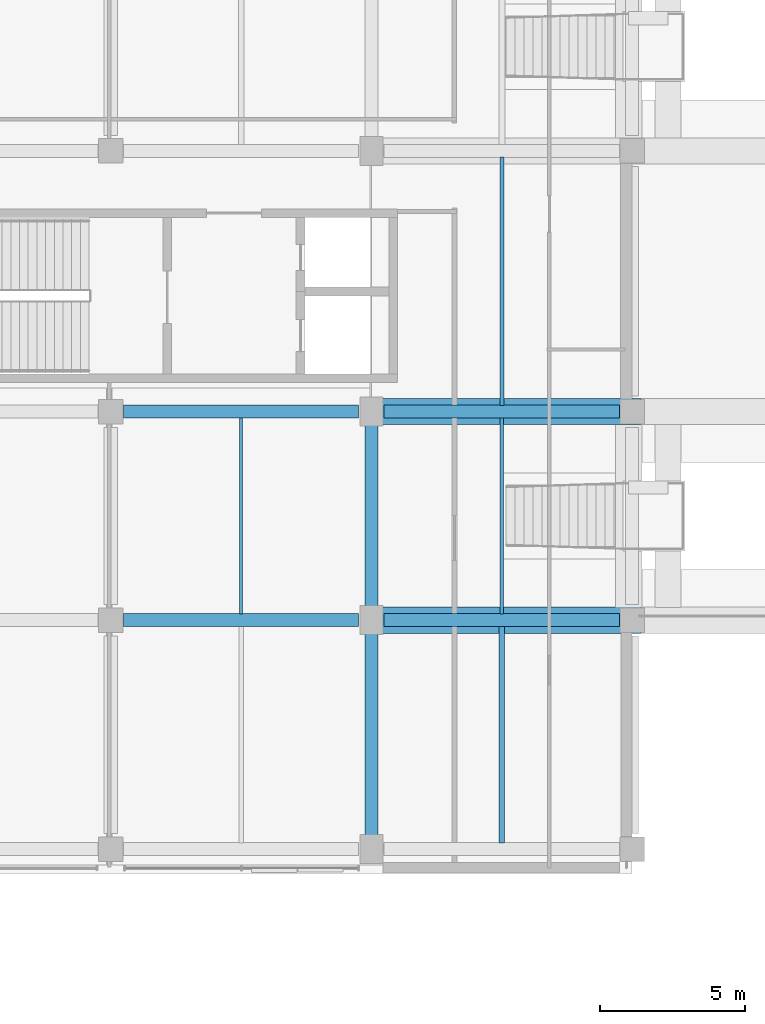
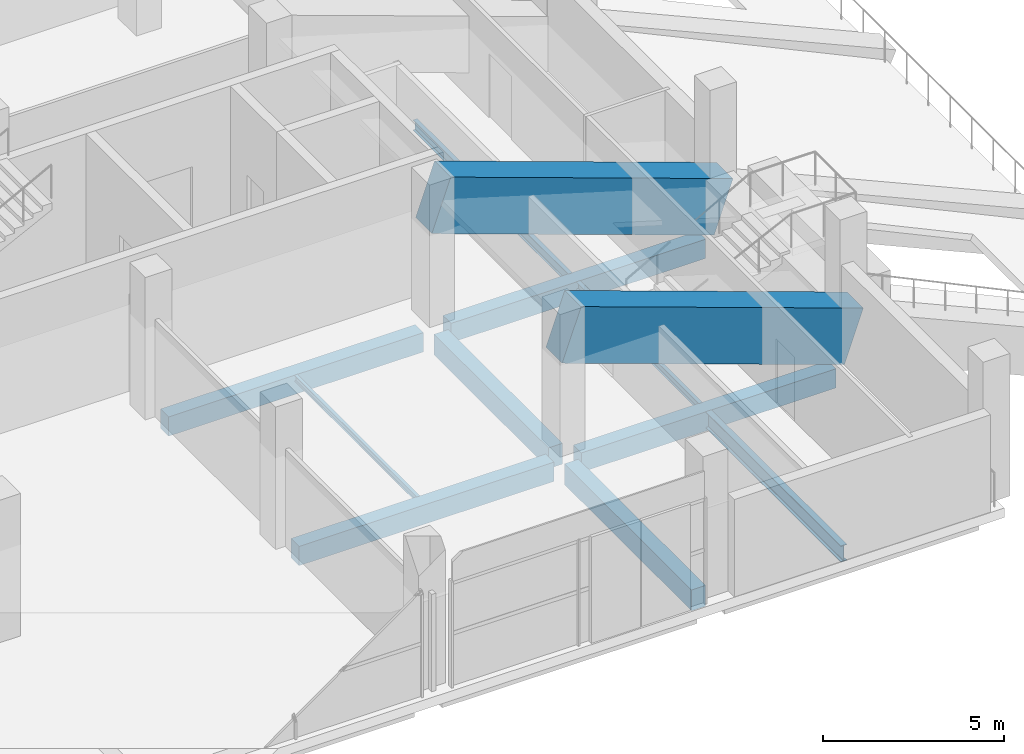
# One storey, part 22 of 66: 12 beams.
"""IFC4 building model written with IfcOpenShell, lengths in metres."""

from ifc_helpers import new_model, si_unit, direction, frame, origin, origin_2d, place, context, subcontext, project, spatial, rectangle, i_section, extrude, material, material_profile, profile_set, type_object, element, save


model = new_model("IFC4")

# Units and contexts
model_context = context("Model", 3, precision=1e-05, world=origin(), true_north=direction((0.0, 1.0)))
body_context = subcontext(model_context, "Body", "Model", "MODEL_VIEW")
ifc_project = project(units=[si_unit("LENGTHUNIT", "METRE"), si_unit("AREAUNIT", "SQUARE_METRE"), si_unit("VOLUMEUNIT", "CUBIC_METRE"), si_unit("PLANEANGLEUNIT", "RADIAN"), si_unit("MASSUNIT", "GRAM", prefix="KILO"), si_unit("THERMODYNAMICTEMPERATUREUNIT", "KELVIN"), si_unit("POWERUNIT", "WATT")], contexts=[model_context])

# Site, building, storey
site_placement = place(None, origin())
site = spatial("IfcSite", under=ifc_project, at=site_placement, CompositionType="ELEMENT")
building_placement = place(site_placement, origin())
building = spatial("IfcBuilding", under=site, at=building_placement, Name="Sindhuravela Promenade Stadium", CompositionType="ELEMENT")
storey_placement = place(building_placement, frame((0.0, 0.0, 19.199951171875)))
storey = spatial("IfcBuildingStorey", under=building, at=storey_placement, Name="L04", CompositionType="ELEMENT", Elevation=19.199951171875)

# Beams
ifc_material_1 = material(Name="Concrete M40", Category="concrete")
ifc_material_profile_1 = material_profile(ifc_material_1, rectangle(XDim=0.449951171875, YDim=0.64990234375, at=origin_2d()), Name="RC 450x650")
ifc_profile_set_1 = profile_set([ifc_material_profile_1], Name="Concrete M40")
beam_type_1 = type_object("IfcBeamType", Name="RC-BM-450x650", PredefinedType="T_BEAM", material=ifc_profile_set_1)
for number, where, z_axis, x_axis, name in (
    (1, (18.43994140625, 45.0, -0.64501953125), (1.0, 0.0, 0.0), (0.0, 1.0, 0.0), "Primary girder GB08 WEST L04"),
    (2, (27.43994140625, 45.0, -0.64501953125), (1.0, 0.0, 0.0), (0.0, 1.0, 0.0), "Primary girder GB08 WEST L04"),
    (3, (18.43994140625, 52.199951171875, -0.64501953125), (1.0, 0.0, 0.0), (0.0, 1.0, 0.0), "Primary girder GB08 WEST L04"),
    (4, (27.43994140625, 52.199951171875, -0.64501953125), (1.0, 0.0, 0.0), (0.0, 1.0, 0.0), "Primary girder GB08 WEST L04"),
):
    element("IfcBeam", number, at=place(storey_placement, frame(where, z_axis=z_axis, x_axis=x_axis)), inside=storey, type_object=beam_type_1, Name=name, PredefinedType="T_BEAM", context=body_context, shape_type="SweptSolid", body=[
        extrude(rectangle(XDim=0.449951171875, YDim=0.64990234375, at=origin_2d()), origin(), (0.0, 0.0, 1.0), 8.1201171875),
    ])
ifc_material_profile_2 = material_profile(ifc_material_1, rectangle(XDim=0.449951171875, YDim=0.699951171875, at=origin_2d()), Name="RC 450x700")
ifc_profile_set_2 = profile_set([ifc_material_profile_2], Name="Concrete M40")
beam_type_2 = type_object("IfcBeamType", Name="RC-BM-450x700", PredefinedType="BEAM", material=ifc_profile_set_2)
beam_1_placement = place(storey_placement, frame((27.0, 37.5400390625, -0.669921875), z_axis=(0.0, 1.0, 0.0), x_axis=(-1.0, 0.0, 0.0)))
element("IfcBeam", 5, at=beam_1_placement, inside=storey, type_object=beam_type_2, Name="Primary beam GB07 WEST L04", PredefinedType="BEAM", context=body_context, shape_type="SweptSolid", body=[
    extrude(rectangle(XDim=0.449951171875, YDim=0.699951171875, at=origin_2d()), origin(), (0.0, 0.0, 1.0), 7.02001953125),
])
beam_2_placement = place(storey_placement, frame((27.0, 45.43994140625, -0.669921875), z_axis=(0.0, 1.0, 0.0), x_axis=(-1.0, 0.0, 0.0)))
element("IfcBeam", 6, at=beam_2_placement, inside=storey, type_object=beam_type_2, Name="Primary beam GB07 WEST L04", PredefinedType="BEAM", context=body_context, shape_type="SweptSolid", body=[
    extrude(rectangle(XDim=0.449951171875, YDim=0.699951171875, at=origin_2d()), origin(), (0.0, 0.0, 1.0), 6.320068359375),
])
ifc_material_2 = material(Name="Concrete M50", Category="concrete")
ifc_material_profile_3 = material_profile(ifc_material_2, rectangle(XDim=0.89990234375, YDim=1.800048828125, at=origin_2d()), Name="RC 900x1800")
ifc_profile_set_3 = profile_set([ifc_material_profile_3], Name="Concrete M50")
beam_type_3 = type_object("IfcBeamType", Name="RC-RK-900x1800", PredefinedType="USERDEFINED", material=ifc_profile_set_3)
for number, where, z_axis, x_axis, name in (
    (7, (27.0, 45.0, 3.949951171875), (0.9422163038291221, 0.0, -0.3350051295108589), (0.0, 1.0, 0.0), "Upper raker back-span RK01 West 51"),
    (8, (27.0, 52.199951171875, 3.949951171875), (0.9422163038291221, 0.0, -0.3350051295108589), (0.0, 1.0, 0.0), "Upper raker back-span RK01 West 53"),
):
    element("IfcBeam", number, at=place(storey_placement, frame(where, z_axis=z_axis, x_axis=x_axis)), inside=storey, type_object=beam_type_3, Name=name, ObjectType="RAKER", PredefinedType="USERDEFINED", context=body_context, shape_type="SweptSolid", body=[
        extrude(rectangle(XDim=0.89990234375, YDim=1.800048828125, at=origin_2d()), origin(), (0.0, 0.0, 1.0), 9.552001953125),
    ])
ifc_material_3 = material(Name="Steel E350 (IS 2062 E350BR)", Category="steel")
ifc_material_profile_4 = material_profile(ifc_material_3, i_section(OverallWidth=0.10009765625, OverallDepth=0.199951171875, WebThickness=0.005615234375, FlangeThickness=0.0107421875, FilletRadius=0.010986328125, at=origin_2d()), Name="ISMB 200")
ifc_profile_set_4 = profile_set([ifc_material_profile_4], Name="Steel E350 (IS 2062 E350BR)")
beam_type_4 = type_object("IfcBeamType", Name="ST-BM-MB200", PredefinedType="JOIST", material=ifc_profile_set_4)
beam_3_placement = place(storey_placement, frame((22.5, 45.215087890625, -0.419921875), z_axis=(0.0, 1.0, 0.0), x_axis=(-1.0, 0.0, 0.0)))
element("IfcBeam", 9, at=beam_3_placement, inside=storey, type_object=beam_type_4, Name="Secondary floor joist SB01 WEST L04", PredefinedType="JOIST", context=body_context, shape_type="SweptSolid", body=[
    extrude(i_section(OverallWidth=0.10009765625, OverallDepth=0.199951171875, WebThickness=0.005615234375, FlangeThickness=0.0107421875, FilletRadius=0.010986328125, at=origin_2d()), origin(), (0.0, 0.0, 1.0), 6.77001953125),
])
ifc_material_profile_5 = material_profile(ifc_material_3, i_section(OverallWidth=0.125, OverallDepth=0.25, WebThickness=0.0068359375, FlangeThickness=0.012451171875, FilletRadius=0.012939453125, at=origin_2d()), Name="ISMB 250")
ifc_profile_set_5 = profile_set([ifc_material_profile_5], Name="Steel E350 (IS 2062 E350BR)")
beam_type_5 = type_object("IfcBeamType", Name="ST-BM-MB250", PredefinedType="JOIST", material=ifc_profile_set_5)
beam_4_placement = place(storey_placement, frame((31.5, 45.215087890625, -0.445068359375), z_axis=(0.0, 1.0, 0.0), x_axis=(-1.0, 0.0, 0.0)))
element("IfcBeam", 10, at=beam_4_placement, inside=storey, type_object=beam_type_5, Name="Secondary floor joist SB02 WEST L04", PredefinedType="JOIST", context=body_context, shape_type="SweptSolid", body=[
    extrude(i_section(OverallWidth=0.125, OverallDepth=0.25, WebThickness=0.0068359375, FlangeThickness=0.012451171875, FilletRadius=0.012939453125, at=origin_2d()), origin(), (0.0, 0.0, 1.0), 6.77001953125),
])
ifc_material_profile_6 = material_profile(ifc_material_3, i_section(OverallWidth=0.139892578125, OverallDepth=0.35009765625, WebThickness=0.008056640625, FlangeThickness=0.01416015625, FilletRadius=0.013916015625, at=origin_2d()), Name="ISMB 350")
ifc_profile_set_6 = profile_set([ifc_material_profile_6], Name="Steel E350 (IS 2062 E350BR)")
beam_type_6 = type_object("IfcBeamType", Name="ST-BM-MB350", PredefinedType="JOIST", material=ifc_profile_set_6)
beam_5_placement = place(storey_placement, frame((31.5, 52.4150390625, -0.494873046875), z_axis=(0.0, 1.0, 0.0), x_axis=(-1.0, 0.0, 0.0)))
element("IfcBeam", 11, at=beam_5_placement, inside=storey, type_object=beam_type_6, Name="Secondary floor joist SB04 WEST L04", PredefinedType="JOIST", context=body_context, shape_type="SweptSolid", body=[
    extrude(i_section(OverallWidth=0.139892578125, OverallDepth=0.35009765625, WebThickness=0.008056640625, FlangeThickness=0.01416015625, FilletRadius=0.013916015625, at=origin_2d()), origin(), (0.0, 0.0, 1.0), 8.570068359375),
])
ifc_material_profile_7 = material_profile(ifc_material_3, i_section(OverallWidth=0.18994140625, OverallDepth=0.550048828125, WebThickness=0.01123046875, FlangeThickness=0.019287109375, FilletRadius=0.01806640625, at=origin_2d()), Name="ISMB 550")
ifc_profile_set_7 = profile_set([ifc_material_profile_7], Name="Steel E350 (IS 2062 E350BR)")
beam_type_7 = type_object("IfcBeamType", Name="ST-BM-MB550", PredefinedType="SPANDREL", material=ifc_profile_set_7)
beam_6_placement = place(storey_placement, frame((31.5, 37.31494140625, -0.594970703125), z_axis=(0.0, 1.0, 0.0), x_axis=(-1.0, 0.0, 0.0)))
element("IfcBeam", 12, at=beam_6_placement, inside=storey, type_object=beam_type_7, Name="Secondary floor joist SB08 WEST L04", PredefinedType="SPANDREL", context=body_context, shape_type="SweptSolid", body=[
    extrude(i_section(OverallWidth=0.18994140625, OverallDepth=0.550048828125, WebThickness=0.01123046875, FlangeThickness=0.019287109375, FilletRadius=0.01806640625, at=origin_2d()), origin(), (0.0, 0.0, 1.0), 7.469970703125),
])

save(model, "model.ifc")
